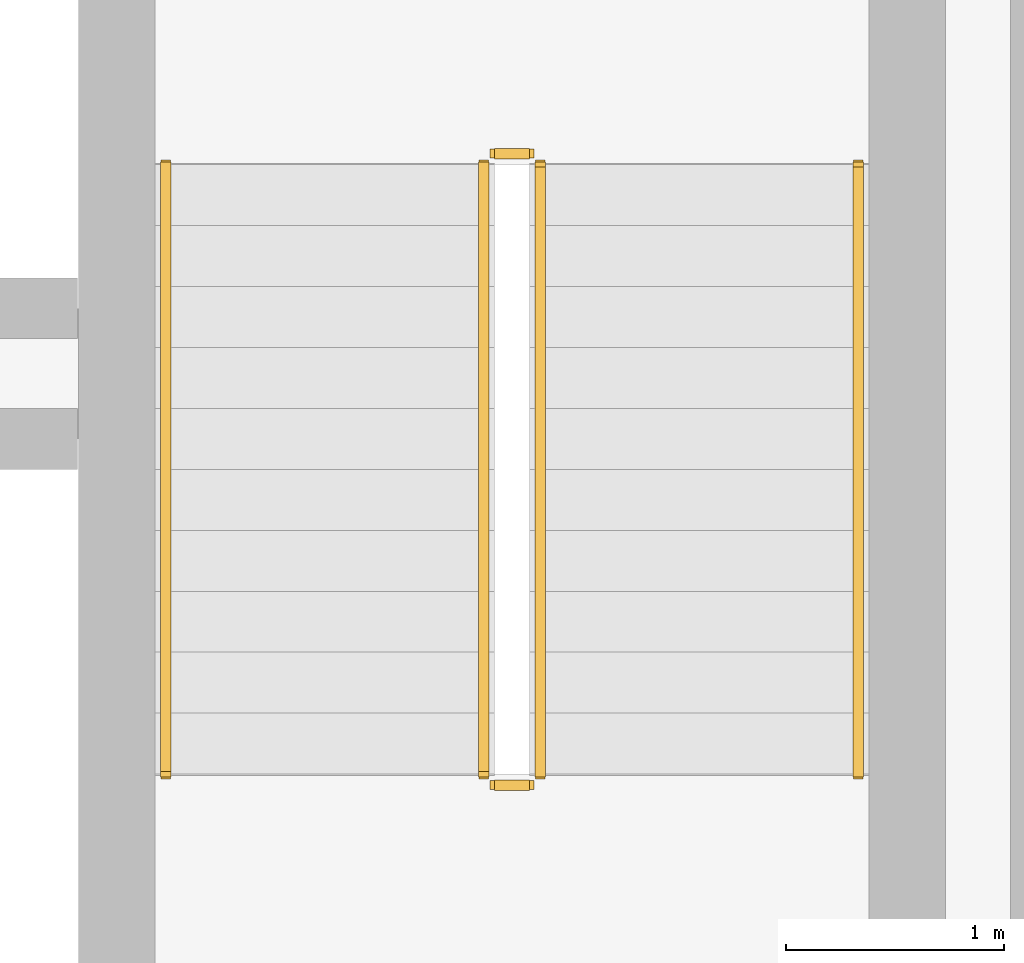
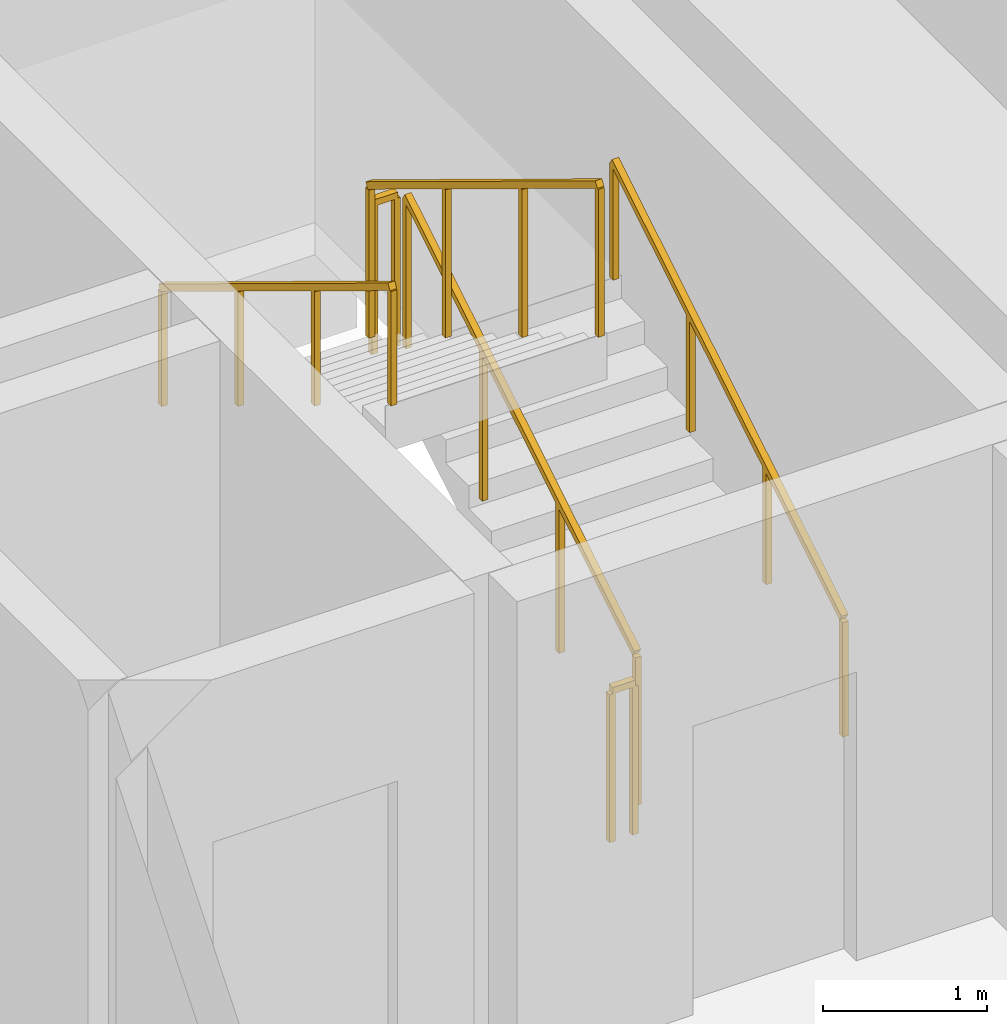
# One storey, part 15 of 15: 6 railings.
"""IFC4 building model written with IfcOpenShell, lengths in metres."""

from ifc_helpers import new_model, si_unit, direction, frame, origin, origin_2d, place, context, subcontext, project, spatial, rectangle, extrude, material, type_object, element, save


model = new_model("IFC4")

# Units and contexts
model_context = context("Model", 3, precision=1e-05, world=origin(), true_north=direction((0.0, 1.0)))
body_context = subcontext(model_context, "Body", "Model", "MODEL_VIEW")
ifc_project = project(units=[si_unit("LENGTHUNIT", "METRE"), si_unit("AREAUNIT", "SQUARE_METRE"), si_unit("VOLUMEUNIT", "CUBIC_METRE"), si_unit("PLANEANGLEUNIT", "RADIAN"), si_unit("MASSUNIT", "GRAM", prefix="KILO")], contexts=[model_context])

# Site, building, storey
site_placement = place(None, origin())
site = spatial("IfcSite", under=ifc_project, at=site_placement, CompositionType="ELEMENT")
building_placement = place(site_placement, origin())
building = spatial("IfcBuilding", under=site, at=building_placement, Name="Kaelvorn Grand Hotel", CompositionType="ELEMENT")
storey_placement = place(building_placement, frame((0.0, 0.0, 38.89990234375)))
storey = spatial("IfcBuildingStorey", under=building, at=storey_placement, Name="L07", CompositionType="ELEMENT", Elevation=38.89990234375)

# Railings
ifc_material = material(Name="Stainless Steel", Category="steel")
railing_type_1 = type_object("IfcRailingType", Name="RL-HANDRAIL-900", PredefinedType="HANDRAIL", material=ifc_material)
railing_1_placement = place(storey_placement, frame((66.550048828125, 41.760009765625, 0.170654296875)))
element("IfcRailing", 1, at=railing_1_placement, inside=storey, type_object=railing_type_1, Name="L07 ST3 stair handrail 1", PredefinedType="HANDRAIL", context=body_context, shape_type="SweptSolid", body=[
    extrude(rectangle(XDim=0.048095703125, YDim=0.048095703125, at=origin_2d()), frame((0.0, 0.0, 0.8759765625), z_axis=(0.0, 0.854202870247, 0.519939858505), x_axis=(-1.0, 0.0, 0.0)), (0.0, 0.0, 1.0), 3.278076171875),
    extrude(rectangle(XDim=0.0419921875, YDim=0.0419921875, at=origin_2d()), origin(), (0.0, 0.0, 1.0), 0.851806640625),
    extrude(rectangle(XDim=0.0419921875, YDim=0.0419921875, at=origin_2d()), frame((0.0, 0.933349609375, 0.568115234375)), (0.0, 0.0, 1.0), 0.851806640625),
    extrude(rectangle(XDim=0.0419921875, YDim=0.0419921875, at=origin_2d()), frame((0.0, 1.86669921875, 1.13623046875)), (0.0, 0.0, 1.0), 0.851806640625),
    extrude(rectangle(XDim=0.0419921875, YDim=0.0419921875, at=origin_2d()), frame((0.0, 2.800048828125, 1.704345703125)), (0.0, 0.0, 1.0), 0.851806640625),
])
railing_2_placement = place(storey_placement, frame((63.3701171875, 44.56005859375, 2.045654296875)))
element("IfcRailing", 2, at=railing_2_placement, inside=storey, type_object=railing_type_1, Name="L07 ST3 stair handrail 2", PredefinedType="HANDRAIL", context=body_context, shape_type="SweptSolid", body=[
    extrude(rectangle(XDim=0.048095703125, YDim=0.048095703125, at=origin_2d()), frame((0.0, 0.0, 0.8759765625), z_axis=(0.0, -0.854202870247, 0.519939858505), x_axis=(1.0, 0.0, 0.0)), (0.0, 0.0, 1.0), 3.278076171875),
    extrude(rectangle(XDim=0.0419921875, YDim=0.0419921875, at=origin_2d()), origin(), (0.0, 0.0, 1.0), 0.851806640625),
    extrude(rectangle(XDim=0.0419921875, YDim=0.0419921875, at=origin_2d()), frame((0.0, -0.933349609375, 0.568115234375)), (0.0, 0.0, 1.0), 0.851806640625),
    extrude(rectangle(XDim=0.0419921875, YDim=0.0419921875, at=origin_2d()), frame((0.0, -1.86669921875, 1.13623046875)), (0.0, 0.0, 1.0), 0.851806640625),
    extrude(rectangle(XDim=0.0419921875, YDim=0.0419921875, at=origin_2d()), frame((0.0, -2.800048828125, 1.704345703125)), (0.0, 0.0, 1.0), 0.851806640625),
])
railing_type_2 = type_object("IfcRailingType", Name="RL-STAIR-GUARD-1150", PredefinedType="BALUSTRADE", material=ifc_material)
railing_3_placement = place(storey_placement, frame((65.090087890625, 41.760009765625, 0.170654296875)))
element("IfcRailing", 3, at=railing_3_placement, inside=storey, type_object=railing_type_2, Name="L07 ST3 stair guard 1", PredefinedType="BALUSTRADE", context=body_context, shape_type="SweptSolid", body=[
    extrude(rectangle(XDim=0.048095703125, YDim=0.048095703125, at=origin_2d()), frame((0.0, 0.0, 1.1259765625), z_axis=(0.0, 0.854202870247, 0.519939858505), x_axis=(-1.0, 0.0, 0.0)), (0.0, 0.0, 1.0), 3.278076171875),
    extrude(rectangle(XDim=0.0419921875, YDim=0.0419921875, at=origin_2d()), origin(), (0.0, 0.0, 1.0), 1.101806640625),
    extrude(rectangle(XDim=0.0419921875, YDim=0.0419921875, at=origin_2d()), frame((0.0, 0.933349609375, 0.568115234375)), (0.0, 0.0, 1.0), 1.101806640625),
    extrude(rectangle(XDim=0.0419921875, YDim=0.0419921875, at=origin_2d()), frame((0.0, 1.86669921875, 1.13623046875)), (0.0, 0.0, 1.0), 1.101806640625),
    extrude(rectangle(XDim=0.0419921875, YDim=0.0419921875, at=origin_2d()), frame((0.0, 2.800048828125, 1.704345703125)), (0.0, 0.0, 1.0), 1.101806640625),
])
railing_4_placement = place(storey_placement, frame((65.0400390625, 44.610107421875, 1.875)))
element("IfcRailing", 4, at=railing_4_placement, inside=storey, type_object=railing_type_2, Name="L07 ST3 stair guard 2", PredefinedType="BALUSTRADE", context=body_context, shape_type="SweptSolid", body=[
    extrude(rectangle(XDim=0.048095703125, YDim=0.048095703125, at=origin_2d()), frame((0.0, 0.0, 1.1259765625), z_axis=(-1.0, 0.0, 0.0), x_axis=(0.0, -1.0, 0.0)), (0.0, 0.0, 1.0), 0.16015625),
    extrude(rectangle(XDim=0.0419921875, YDim=0.0419921875, at=origin_2d()), origin(), (0.0, 0.0, 1.0), 1.101806640625),
    extrude(rectangle(XDim=0.0419921875, YDim=0.0419921875, at=origin_2d()), frame((-0.16015625, 0.0, 0.0)), (0.0, 0.0, 1.0), 1.101806640625),
])
railing_5_placement = place(storey_placement, frame((64.830078125, 44.56005859375, 2.045654296875)))
element("IfcRailing", 5, at=railing_5_placement, inside=storey, type_object=railing_type_2, Name="L07 ST3 stair guard 3", PredefinedType="BALUSTRADE", context=body_context, shape_type="SweptSolid", body=[
    extrude(rectangle(XDim=0.048095703125, YDim=0.048095703125, at=origin_2d()), frame((0.0, 0.0, 1.1259765625), z_axis=(0.0, -0.854202870247, 0.519939858505), x_axis=(1.0, 0.0, 0.0)), (0.0, 0.0, 1.0), 3.278076171875),
    extrude(rectangle(XDim=0.0419921875, YDim=0.0419921875, at=origin_2d()), origin(), (0.0, 0.0, 1.0), 1.101806640625),
    extrude(rectangle(XDim=0.0419921875, YDim=0.0419921875, at=origin_2d()), frame((0.0, -0.933349609375, 0.568115234375)), (0.0, 0.0, 1.0), 1.101806640625),
    extrude(rectangle(XDim=0.0419921875, YDim=0.0419921875, at=origin_2d()), frame((0.0, -1.86669921875, 1.13623046875)), (0.0, 0.0, 1.0), 1.101806640625),
    extrude(rectangle(XDim=0.0419921875, YDim=0.0419921875, at=origin_2d()), frame((0.0, -2.800048828125, 1.704345703125)), (0.0, 0.0, 1.0), 1.101806640625),
])
railing_6_placement = place(storey_placement, frame((65.0400390625, 41.7099609375, 0.0)))
element("IfcRailing", 6, at=railing_6_placement, inside=storey, type_object=railing_type_2, Name="L07 ST3 stair guard 4", PredefinedType="BALUSTRADE", context=body_context, shape_type="SweptSolid", body=[
    extrude(rectangle(XDim=0.048095703125, YDim=0.048095703125, at=origin_2d()), frame((0.0, 0.0, 1.1259765625), z_axis=(-1.0, 0.0, 0.0), x_axis=(0.0, -1.0, 0.0)), (0.0, 0.0, 1.0), 0.16015625),
    extrude(rectangle(XDim=0.0419921875, YDim=0.0419921875, at=origin_2d()), origin(), (0.0, 0.0, 1.0), 1.101806640625),
    extrude(rectangle(XDim=0.0419921875, YDim=0.0419921875, at=origin_2d()), frame((-0.16015625, 0.0, 0.0)), (0.0, 0.0, 1.0), 1.101806640625),
])

save(model, "model.ifc")
